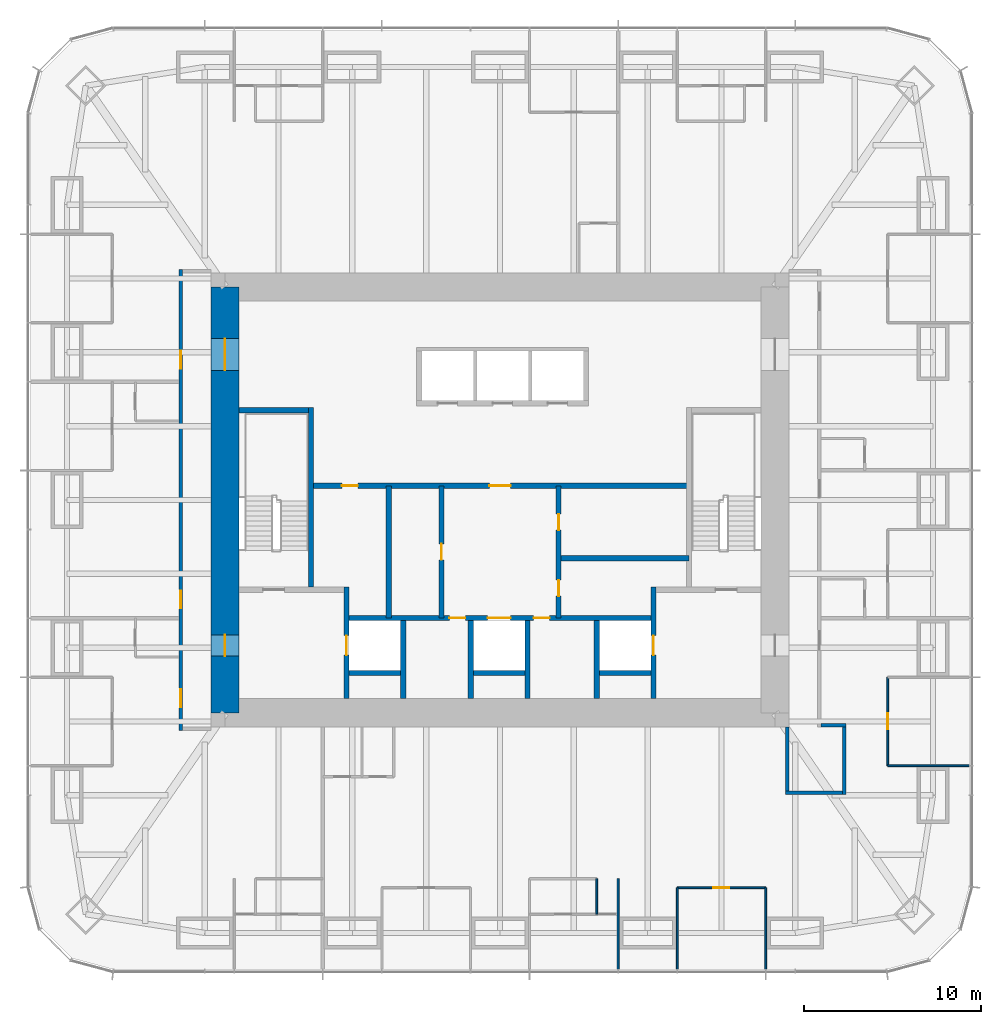
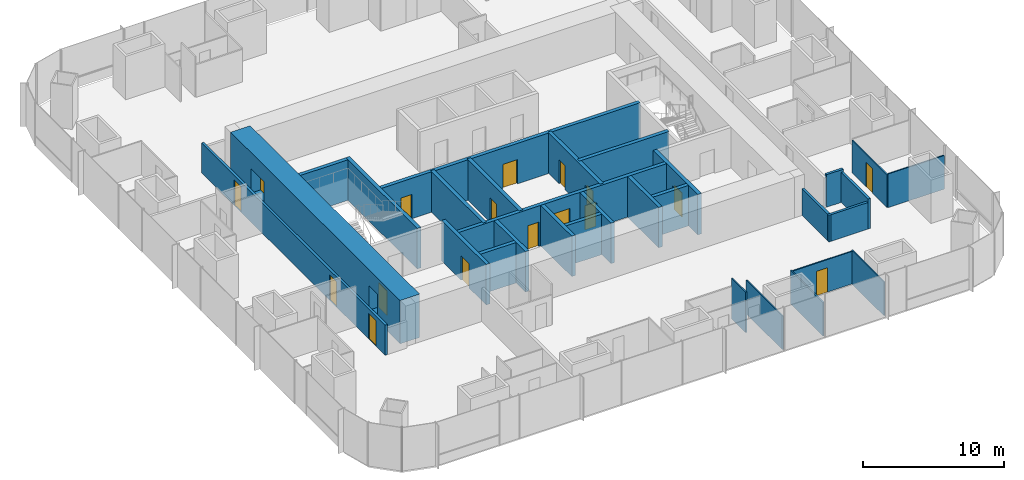
# One storey, part 9 of 12: 30 walls, 17 doors, 17 openings.
"""IFC4 building model written with IfcOpenShell, lengths in metres."""

import ifcopenshell
import ifcopenshell.guid

model = None  # the IFC model being written
_history = None  # IfcOwnerHistory: only IFC2X3 demands one
_inside = {}  # id of a spatial element -> (the spatial element, [elements in it])
_under = {}  # id of a project, library or spatial element -> (it, [spatial elements below it])
_declared = {}  # id of a project -> (the project, [libraries it declares])
_typed = {}  # id of a type object -> (the type object, [elements of that type])
_made_of = {}  # id of a material, layer set ... -> (it, [elements and type objects made of it])


def new_model(schema):
    """Start an empty IFC model of exactly this schema.

    Asked for "IFC4X3", IfcOpenShell would pick the latest addendum, in which some entities
    have other attributes; the version numbers below select the first issue.
    IFC2X3 requires an IfcOwnerHistory on every rooted entity: one is made here for all.
    """
    global model, _history
    if schema == "IFC4X3":
        model = ifcopenshell.file(schema_version=(4, 3, 0, 0))
    else:
        model = ifcopenshell.file(schema=schema)
    _inside.clear()
    _under.clear()
    _declared.clear()
    _typed.clear()
    _made_of.clear()
    _history = None
    if model.schema == "IFC2X3":
        org = make("IfcOrganization", Name="unknown")
        user = make(
            "IfcPersonAndOrganization",
            ThePerson=make("IfcPerson", FamilyName="unknown"),
            TheOrganization=org,
        )
        app = make(
            "IfcApplication",
            ApplicationDeveloper=org,
            Version="unknown",
            ApplicationFullName="unknown",
            ApplicationIdentifier="unknown",
        )
        _history = make(
            "IfcOwnerHistory",
            OwningUser=user,
            OwningApplication=app,
            ChangeAction="ADDED",
            CreationDate=0,
        )
    return model


def make(cls, **values):
    """One entity of the class cls with the attributes given. An attribute that is None is left unset."""
    return model.create_entity(
        cls, **{name: value for name, value in values.items() if value is not None}
    )


def rooted(cls, **values):
    """An entity with a GlobalId (a new one), such as an element, a storey or a relation."""
    return make(cls, GlobalId=ifcopenshell.guid.new(), OwnerHistory=_history, **values)


def si_unit(unit_type, name, prefix=None):
    """IfcSIUnit, for example si_unit("LENGTHUNIT", "METRE", prefix="MILLI")."""
    return make("IfcSIUnit", UnitType=unit_type, Prefix=prefix, Name=name)


def assignment(units):
    """IfcUnitAssignment: the units of a project."""
    return None if units is None else make("IfcUnitAssignment", Units=units)


def point(xyz):
    """IfcCartesianPoint."""
    return None if xyz is None else make("IfcCartesianPoint", Coordinates=xyz)


def direction(xyz):
    """IfcDirection."""
    return None if xyz is None else make("IfcDirection", DirectionRatios=xyz)


def frame(location, z_axis=None, x_axis=None):
    """IfcAxis2Placement3D, a coordinate frame: its origin and axes. An axis left out is left unset."""
    return make(
        "IfcAxis2Placement3D",
        Location=point(location),
        Axis=direction(z_axis),
        RefDirection=direction(x_axis),
    )


def frame_2d(location, x_axis=None):
    """IfcAxis2Placement2D, a coordinate frame in the plane: its origin and x axis."""
    return make(
        "IfcAxis2Placement2D", Location=point(location), RefDirection=direction(x_axis)
    )


def origin():
    """The frame at (0, 0, 0) with its axes left unset."""
    return frame((0.0, 0.0, 0.0))


def place(relative_to, where):
    """IfcLocalPlacement: puts the frame where relative to a parent placement (None: the world)."""
    return make(
        "IfcLocalPlacement", PlacementRelTo=relative_to, RelativePlacement=where
    )


def context(
    kind, dimensions, precision=None, world=None, true_north=None, identifier=None
):
    """IfcGeometricRepresentationContext, for example the 3D "Model" context."""
    return make(
        "IfcGeometricRepresentationContext",
        ContextIdentifier=identifier,
        ContextType=kind,
        CoordinateSpaceDimension=dimensions,
        Precision=precision,
        WorldCoordinateSystem=world,
        TrueNorth=true_north,
    )


def subcontext(parent, identifier, kind, view, scale=None):
    """IfcGeometricRepresentationSubContext, for example "Body" below "Model"."""
    return make(
        "IfcGeometricRepresentationSubContext",
        ContextIdentifier=identifier,
        ContextType=kind,
        ParentContext=parent,
        TargetScale=scale,
        TargetView=view,
    )


def project(units=None, contexts=None):
    """IfcProject with its units and contexts."""
    return rooted(
        "IfcProject",
        Name="project",
        RepresentationContexts=contexts,
        UnitsInContext=assignment(units),
    )


def spatial(cls, under=None, at=None, **own):
    """A site, building, storey or space (cls), placed at a placement, below another one or the project."""
    s = rooted(cls, ObjectPlacement=at, **own)
    if under is not None:
        _under.setdefault(under.id(), (under, []))[1].append(s)
    return s


def profile(cls, at=None, kind="AREA", **sizes):
    """A parametric profile (cls). Its sizes go by their IFC names, for example OverallWidth=200.0."""
    return make(cls, ProfileType=kind, Position=at, **sizes)


def rectangle(**sizes):
    """IfcRectangleProfileDef."""
    return profile("IfcRectangleProfileDef", **sizes)


def extrude(swept, where, along, depth):
    """IfcExtrudedAreaSolid: the profile swept, set in the frame where, extruded along a direction by depth."""
    return make(
        "IfcExtrudedAreaSolid",
        SweptArea=swept,
        Position=where,
        ExtrudedDirection=direction(along),
        Depth=depth,
    )


def shape(context_of_items, identifier, shape_type, items):
    """IfcShapeRepresentation: the items that make up one representation, for example the "Body"."""
    return make(
        "IfcShapeRepresentation",
        ContextOfItems=context_of_items,
        RepresentationIdentifier=identifier,
        RepresentationType=shape_type,
        Items=items,
    )


def material(Name=None, Category=None):
    """IfcMaterial."""
    return make("IfcMaterial", Name=Name, Category=Category)


def layer(
    of_material, thickness, ventilated=None, Name=None, Category=None, Priority=None
):
    """IfcMaterialLayer: one layer of a wall or slab, of a material (None: an air gap)."""
    return make(
        "IfcMaterialLayer",
        Material=of_material,
        LayerThickness=thickness,
        IsVentilated=ventilated,
        Name=Name,
        Category=Category,
        Priority=Priority,
    )


def layer_set(layers, Name=None):
    """IfcMaterialLayerSet."""
    return make("IfcMaterialLayerSet", MaterialLayers=layers, LayerSetName=Name)


def made_of(thing, what):
    """Note that an element or type object is made of a material, layer set ...; save() writes the relation."""
    if what is not None:
        _made_of.setdefault(what.id(), (what, []))[1].append(thing)
    return thing


def type_object(cls, material=None, **own):
    """A type object (cls), such as IfcWallType, which elements share."""
    return made_of(rooted(cls, **own), material)


def element(
    cls,
    number,
    at=None,
    inside=None,
    cuts=None,
    type_object=None,
    material=None,
    context=None,
    identifier="Body",
    shape_type=None,
    held_by="IfcProductDefinitionShape",
    body=None,
    shapes=None,
    **own,
):
    """One element of the class cls, such as IfcWall. Its Tag is "e" and its number.

    at: its placement. inside: the storey or other place that contains it. cuts: it is an
    opening in that element (IfcRelVoidsElement). A single representation is given by context,
    identifier, shape_type and body (its items); several are given by shapes. held_by: the class
    of the entity that holds the representations. save() writes the other relations.
    """
    e = rooted(cls, Tag="e%d" % number, ObjectPlacement=at, **own)
    if body is not None:
        shapes = [shape(context, identifier, shape_type, body)]
    if shapes is not None:
        e.Representation = make(held_by, Representations=shapes)
    if inside is not None:
        _inside.setdefault(inside.id(), (inside, []))[1].append(e)
    if cuts is not None:
        rooted(
            "IfcRelVoidsElement", RelatingBuildingElement=cuts, RelatedOpeningElement=e
        )
    if type_object is not None:
        _typed.setdefault(type_object.id(), (type_object, []))[1].append(e)
    return made_of(e, material)


def fill(opening, filler):
    """IfcRelFillsElement: the door or window that sits in an opening."""
    return rooted(
        "IfcRelFillsElement",
        RelatingOpeningElement=opening,
        RelatedBuildingElement=filler,
    )


def aggregate(whole, parts):
    """IfcRelAggregates: a whole, such as a stair, and the parts it consists of."""
    return rooted("IfcRelAggregates", RelatingObject=whole, RelatedObjects=parts)


def save(model, path):
    """Write the relations noted so far, then the file.

    IfcRelAggregates (storeys below a building ...), IfcRelContainedInSpatialStructure (elements
    in a storey), IfcRelDefinesByType, IfcRelAssociatesMaterial and IfcRelDeclares: one each for
    every whole, place, type object, material and project.
    """
    for whole, parts in _under.values():
        aggregate(whole, parts)
    for where, things in _inside.values():
        rooted(
            "IfcRelContainedInSpatialStructure",
            RelatedElements=things,
            RelatingStructure=where,
        )
    for kind, things in _typed.values():
        rooted("IfcRelDefinesByType", RelatedObjects=things, RelatingType=kind)
    for what, things in _made_of.values():
        rooted("IfcRelAssociatesMaterial", RelatedObjects=things, RelatingMaterial=what)
    for by, libraries in _declared.values():
        rooted("IfcRelDeclares", RelatingContext=by, RelatedDefinitions=libraries)
    model.write(path)


model = new_model("IFC4")

# Units and contexts
model_context = context("Model", 3, precision=1e-05, world=origin(), true_north=direction((0.0, 1.0)))
body_context = subcontext(model_context, "Body", "Model", "MODEL_VIEW")
ifc_project = project(units=[si_unit("LENGTHUNIT", "METRE"), si_unit("AREAUNIT", "SQUARE_METRE"), si_unit("VOLUMEUNIT", "CUBIC_METRE"), si_unit("PLANEANGLEUNIT", "RADIAN"), si_unit("MASSUNIT", "GRAM", prefix="KILO")], contexts=[model_context])

# Site, building, storey
site_placement = place(None, origin())
site = spatial("IfcSite", under=ifc_project, at=site_placement, CompositionType="ELEMENT")
building_placement = place(site_placement, origin())
building = spatial("IfcBuilding", under=site, at=building_placement, Name="Khuree Lantern Residences", CompositionType="ELEMENT")
storey_placement = place(building_placement, frame((0.0, 0.0, 207.0)))
storey = spatial("IfcBuildingStorey", under=building, at=storey_placement, Name="L51", CompositionType="ELEMENT", Elevation=207.0)

# Wall, opening, door
ifc_material_1 = material(Name="Dense concrete blockwork", Category="masonry")
ifc_layer_1 = layer(ifc_material_1, 0.300048828125)
ifc_layer_set_1 = layer_set([ifc_layer_1], Name="CORE PARTITION WALL CPW300 EI 120")
wall_type_1 = type_object("IfcWallType", Name="CORE PARTITION WALL CPW300 EI 120", PredefinedType="PARTITIONING", material=ifc_layer_set_1)
wall_1_placement = place(storey_placement, frame((-8.64990234375, -11.199951171875, 0.0), z_axis=(0.0, 0.0, 1.0), x_axis=(0.0, 1.0, 0.0)))
wall_1 = element("IfcWall", 1, at=wall_1_placement, inside=storey, type_object=wall_type_1, Name="L51 CORE WALL FL1W", PredefinedType="PARTITIONING", context=body_context, shape_type="SweptSolid", body=[
    extrude(rectangle(XDim=6.300048828125, YDim=0.300048828125, at=frame_2d((3.14990234375, 0.0))), origin(), (0.0, 0.0, 1.0), 3.5),
])
opening_1_placement = place(wall_1_placement, frame((2.449951171875, 0.0, 0.0)))
opening_1 = element("IfcOpeningElement", 2, at=opening_1_placement, cuts=wall_1, Name="Opening 51-007", PredefinedType="OPENING", context=body_context, shape_type="SweptSolid", body=[
    extrude(rectangle(XDim=1.10009765625, YDim=2.10009765625, at=frame_2d((0.550048828125, 1.050048828125))), frame((0.0, 0.16015625, 0.0), z_axis=(0.0, -1.0, 0.0), x_axis=(1.0, 0.0, 0.0)), (0.0, 0.0, 1.0), 0.320068359375),
])
ifc_material_2 = material(Name="Stainless steel lift landing door", Category="steel")
door_type_1 = type_object("IfcDoorType", Name="LIFT LANDING DOOR 1100X2100 E 120", OperationType="DOUBLE_DOOR_SLIDING", PredefinedType="DOOR", material=ifc_material_2)
door_1_placement = place(opening_1_placement, origin())
door_1 = element("IfcDoor", 3, at=door_1_placement, inside=storey, type_object=door_type_1, Name="Landing door FL1 51-007", OperationType="DOUBLE_DOOR_SLIDING", OverallHeight=2.10009765625, OverallWidth=1.10009765625, PredefinedType="DOOR", context=body_context, shape_type="SweptSolid", body=[
    extrude(rectangle(XDim=1.10009765625, YDim=2.10009765625, at=frame_2d((0.550048828125, 1.050048828125))), frame((0.0, 0.02490234375, 0.0), z_axis=(0.0, -1.0, 0.0), x_axis=(1.0, 0.0, 0.0)), (0.0, 0.0, 1.0), 0.050048828125),
])
fill(opening_1, door_1)

wall_2_placement = place(storey_placement, frame((8.64990234375, -11.199951171875, 0.0), z_axis=(0.0, 0.0, 1.0), x_axis=(0.0, 1.0, 0.0)))
wall_2 = element("IfcWall", 4, at=wall_2_placement, inside=storey, type_object=wall_type_1, Name="L51 CORE WALL FL2E", PredefinedType="PARTITIONING", context=body_context, shape_type="SweptSolid", body=[
    extrude(rectangle(XDim=6.300048828125, YDim=0.300048828125, at=frame_2d((3.14990234375, 0.0))), origin(), (0.0, 0.0, 1.0), 3.5),
])
opening_2_placement = place(wall_2_placement, frame((2.449951171875, 0.0, 0.0)))
opening_2 = element("IfcOpeningElement", 5, at=opening_2_placement, cuts=wall_2, Name="Opening 51-008", PredefinedType="OPENING", context=body_context, shape_type="SweptSolid", body=[
    extrude(rectangle(XDim=1.10009765625, YDim=2.10009765625, at=frame_2d((0.550048828125, 1.050048828125))), frame((0.0, 0.16015625, 0.0), z_axis=(0.0, -1.0, 0.0), x_axis=(1.0, 0.0, 0.0)), (0.0, 0.0, 1.0), 0.320068359375),
])
door_2_placement = place(opening_2_placement, origin())
door_2 = element("IfcDoor", 6, at=door_2_placement, inside=storey, type_object=door_type_1, Name="Landing door FL2 51-008", OperationType="DOUBLE_DOOR_SLIDING", OverallHeight=2.10009765625, OverallWidth=1.10009765625, PredefinedType="DOOR", context=body_context, shape_type="SweptSolid", body=[
    extrude(rectangle(XDim=1.10009765625, YDim=2.10009765625, at=frame_2d((0.550048828125, 1.050048828125))), frame((0.0, 0.02490234375, 0.0), z_axis=(0.0, -1.0, 0.0), x_axis=(1.0, 0.0, 0.0)), (0.0, 0.0, 1.0), 0.050048828125),
])
fill(opening_2, door_2)

# Wall, openings, doors
wall_3_placement = place(storey_placement, frame((-8.5, -6.64990234375, 0.0), z_axis=(0.0, 0.0, 1.0), x_axis=(1.0, 0.0, 0.0)))
wall_3 = element("IfcWall", 7, at=wall_3_placement, inside=storey, type_object=wall_type_1, Name="L51 CORE WALL FLROW", PredefinedType="PARTITIONING", context=body_context, shape_type="SweptSolid", body=[
    extrude(rectangle(XDim=17.0, YDim=0.300048828125, at=frame_2d((8.5, 0.0))), origin(), (0.0, 0.0, 1.0), 3.5),
])
opening_3_placement = place(wall_3_placement, frame((7.800048828125, 0.0, 0.0)))
opening_3 = element("IfcOpeningElement", 8, at=opening_3_placement, cuts=wall_3, Name="Opening 51-012", PredefinedType="OPENING", context=body_context, shape_type="SweptSolid", body=[
    extrude(rectangle(XDim=1.300048828125, YDim=2.39990234375, at=frame_2d((0.64990234375, 1.199951171875))), frame((0.0, 0.16015625, 0.0), z_axis=(0.0, -1.0, 0.0), x_axis=(1.0, 0.0, 0.0)), (0.0, 0.0, 1.0), 0.320068359375),
])
opening_4_placement = place(wall_3_placement, frame((5.64990234375, 0.0, 0.0)))
opening_4 = element("IfcOpeningElement", 9, at=opening_4_placement, cuts=wall_3, Name="Opening 51-014", PredefinedType="OPENING", context=body_context, shape_type="SweptSolid", body=[
    extrude(rectangle(XDim=0.89990234375, YDim=2.10009765625, at=frame_2d((0.449951171875, 1.050048828125))), frame((0.0, 0.16015625, 0.0), z_axis=(0.0, -1.0, 0.0), x_axis=(1.0, 0.0, 0.0)), (0.0, 0.0, 1.0), 0.320068359375),
])
opening_5_placement = place(wall_3_placement, frame((10.39990234375, 0.0, 0.0)))
opening_5 = element("IfcOpeningElement", 10, at=opening_5_placement, cuts=wall_3, Name="Opening 51-015", PredefinedType="OPENING", context=body_context, shape_type="SweptSolid", body=[
    extrude(rectangle(XDim=0.89990234375, YDim=2.10009765625, at=frame_2d((0.449951171875, 1.050048828125))), frame((0.0, 0.16015625, 0.0), z_axis=(0.0, -1.0, 0.0), x_axis=(1.0, 0.0, 0.0)), (0.0, 0.0, 1.0), 0.320068359375),
])
ifc_material_3 = material(Name="Steel door leaf in steel frame", Category="steel")
door_type_2 = type_object("IfcDoorType", Name="DOOR 900X2100 EI 60", OperationType="SINGLE_SWING_LEFT", PredefinedType="DOOR", material=ifc_material_3)
door_3_placement = place(opening_4_placement, origin())
door_3 = element("IfcDoor", 11, at=door_3_placement, inside=storey, type_object=door_type_2, Name="Refuse chute room door 51-014", OperationType="SINGLE_SWING_LEFT", OverallHeight=2.10009765625, OverallWidth=0.89990234375, PredefinedType="DOOR", context=body_context, shape_type="SweptSolid", body=[
    extrude(rectangle(XDim=0.89990234375, YDim=2.10009765625, at=frame_2d((0.449951171875, 1.050048828125))), frame((0.0, 0.02490234375, 0.0), z_axis=(0.0, -1.0, 0.0), x_axis=(1.0, 0.0, 0.0)), (0.0, 0.0, 1.0), 0.050048828125),
])
fill(opening_4, door_3)
door_type_3 = type_object("IfcDoorType", Name="DOOR 900X2100 EI 60 RIGHT HAND", OperationType="SINGLE_SWING_RIGHT", PredefinedType="DOOR", material=ifc_material_3)
door_4_placement = place(opening_5_placement, origin())
door_4 = element("IfcDoor", 12, at=door_4_placement, inside=storey, type_object=door_type_3, Name="Electrical and plumbing riser door 51-015", OperationType="SINGLE_SWING_RIGHT", OverallHeight=2.10009765625, OverallWidth=0.89990234375, PredefinedType="DOOR", context=body_context, shape_type="SweptSolid", body=[
    extrude(rectangle(XDim=0.89990234375, YDim=2.10009765625, at=frame_2d((0.449951171875, 1.050048828125))), frame((0.0, 0.02490234375, 0.0), z_axis=(0.0, -1.0, 0.0), x_axis=(1.0, 0.0, 0.0)), (0.0, 0.0, 1.0), 0.050048828125),
])
fill(opening_5, door_4)
door_type_4 = type_object("IfcDoorType", Name="LIFT LANDING DOOR 1300X2400 E 60", OperationType="DOUBLE_DOOR_SLIDING", PredefinedType="DOOR", material=ifc_material_2)
door_5_placement = place(opening_3_placement, origin())
door_5 = element("IfcDoor", 13, at=door_5_placement, inside=storey, type_object=door_type_4, Name="Landing door SL1 51-012", OperationType="DOUBLE_DOOR_SLIDING", OverallHeight=2.39990234375, OverallWidth=1.300048828125, PredefinedType="DOOR", context=body_context, shape_type="SweptSolid", body=[
    extrude(rectangle(XDim=1.300048828125, YDim=2.39990234375, at=frame_2d((0.64990234375, 1.199951171875))), frame((0.0, 0.02490234375, 0.0), z_axis=(0.0, -1.0, 0.0), x_axis=(1.0, 0.0, 0.0)), (0.0, 0.0, 1.0), 0.050048828125),
])
fill(opening_3, door_5)

# Walls
for number, where, z_axis, x_axis, name in (
    (14, (-5.449951171875, -11.199951171875, 0.0), (0.0, 0.0, 1.0), (0.0, 1.0, 0.0), "L51 CORE WALL FL1E"),
    (15, (-1.64990234375, -11.199951171875, 0.0), (0.0, 0.0, 1.0), (0.0, 1.0, 0.0), "L51 CORE WALL SL1W"),
    (16, (1.550048828125, -11.199951171875, 0.0), (0.0, 0.0, 1.0), (0.0, 1.0, 0.0), "L51 CORE WALL SL1E"),
    (17, (5.449951171875, -11.199951171875, 0.0), (0.0, 0.0, 1.0), (0.0, 1.0, 0.0), "L51 CORE WALL FL2W"),
):
    element("IfcWall", number, at=place(storey_placement, frame(where, z_axis=z_axis, x_axis=x_axis)), inside=storey, type_object=wall_type_1, Name=name, PredefinedType="PARTITIONING", context=body_context, shape_type="SweptSolid", body=[
        extrude(rectangle(XDim=4.39990234375, YDim=0.300048828125, at=frame_2d((2.199951171875, 0.0))), origin(), (0.0, 0.0, 1.0), 3.5),
    ])
for number, where, z_axis, x_axis, name in (
    (18, (-8.5, -9.75, 0.0), (0.0, 0.0, 1.0), (1.0, 0.0, 0.0), "L51 CORE WALL FL1S"),
    (19, (-1.5, -9.75, 0.0), (0.0, 0.0, 1.0), (1.0, 0.0, 0.0), "L51 CORE WALL SL1S"),
    (20, (5.60009765625, -9.75, 0.0), (0.0, 0.0, 1.0), (1.0, 0.0, 0.0), "L51 CORE WALL FL2S"),
):
    element("IfcWall", number, at=place(storey_placement, frame(where, z_axis=z_axis, x_axis=x_axis)), inside=storey, type_object=wall_type_1, Name=name, PredefinedType="PARTITIONING", context=body_context, shape_type="SweptSolid", body=[
        extrude(rectangle(XDim=2.89990234375, YDim=0.300048828125, at=frame_2d((1.449951171875, 0.0))), origin(), (0.0, 0.0, 1.0), 3.5),
    ])

# Wall, openings, doors
wall_4_placement = place(storey_placement, frame((-10.64990234375, 0.800048828125, 0.0), z_axis=(0.0, 0.0, 1.0), x_axis=(1.0, 0.0, 0.0)))
wall_4 = element("IfcWall", 21, at=wall_4_placement, inside=storey, type_object=wall_type_1, Name="L51 CORE WALL LLS", PredefinedType="PARTITIONING", context=body_context, shape_type="SweptSolid", body=[
    extrude(rectangle(XDim=21.2998046875, YDim=0.300048828125, at=frame_2d((10.64990234375, 0.0))), origin(), (0.0, 0.0, 1.0), 3.5),
])
opening_6_placement = place(wall_4_placement, frame((10.050048828125, 0.0, 0.0)))
opening_6 = element("IfcOpeningElement", 22, at=opening_6_placement, cuts=wall_4, Name="Opening 51-013", PredefinedType="OPENING", context=body_context, shape_type="SweptSolid", body=[
    extrude(rectangle(XDim=1.199951171875, YDim=2.10009765625, at=frame_2d((0.60009765625, 1.050048828125))), frame((0.0, 0.16015625, 0.0), z_axis=(0.0, -1.0, 0.0), x_axis=(1.0, 0.0, 0.0)), (0.0, 0.0, 1.0), 0.320068359375),
])
opening_7_placement = place(wall_4_placement, frame((1.739990234375, 0.0, 0.0)))
opening_7 = element("IfcOpeningElement", 23, at=opening_7_placement, cuts=wall_4, Name="Opening 51-017", PredefinedType="OPENING", context=body_context, shape_type="SweptSolid", body=[
    extrude(rectangle(XDim=0.89990234375, YDim=2.10009765625, at=frame_2d((0.449951171875, 1.050048828125))), frame((0.0, 0.16015625, 0.0), z_axis=(0.0, -1.0, 0.0), x_axis=(1.0, 0.0, 0.0)), (0.0, 0.0, 1.0), 0.320068359375),
])
door_type_5 = type_object("IfcDoorType", Name="DOOR 1200X2100 EI 60", OperationType="SINGLE_SWING_LEFT", PredefinedType="DOOR", material=ifc_material_3)
door_6_placement = place(opening_6_placement, origin())
door_6 = element("IfcDoor", 24, at=door_6_placement, inside=storey, type_object=door_type_5, Name="Service lift lobby door 51-013", OperationType="SINGLE_SWING_LEFT", OverallHeight=2.10009765625, OverallWidth=1.199951171875, PredefinedType="DOOR", context=body_context, shape_type="SweptSolid", body=[
    extrude(rectangle(XDim=1.199951171875, YDim=2.10009765625, at=frame_2d((0.60009765625, 1.050048828125))), frame((0.0, 0.02490234375, 0.0), z_axis=(0.0, -1.0, 0.0), x_axis=(1.0, 0.0, 0.0)), (0.0, 0.0, 1.0), 0.050048828125),
])
fill(opening_6, door_6)
ifc_material_4 = material(Name="Timber door leaf in hardwood frame", Category="wood")
door_type_6 = type_object("IfcDoorType", Name="DOOR 900X2100", OperationType="SINGLE_SWING_LEFT", PredefinedType="DOOR", material=ifc_material_4)
door_7_placement = place(opening_7_placement, origin())
door_7 = element("IfcDoor", 25, at=door_7_placement, inside=storey, type_object=door_type_6, Name="Residents' store door 51-017", OperationType="SINGLE_SWING_LEFT", OverallHeight=2.10009765625, OverallWidth=0.89990234375, PredefinedType="DOOR", context=body_context, shape_type="SweptSolid", body=[
    extrude(rectangle(XDim=0.89990234375, YDim=2.10009765625, at=frame_2d((0.449951171875, 1.050048828125))), frame((0.0, 0.02490234375, 0.0), z_axis=(0.0, -1.0, 0.0), x_axis=(1.0, 0.0, 0.0)), (0.0, 0.0, 1.0), 0.050048828125),
])
fill(opening_7, door_7)

# Wall, opening, door
wall_5_placement = place(storey_placement, frame((-3.300048828125, -6.64990234375, 0.0), z_axis=(0.0, 0.0, 1.0), x_axis=(0.0, 1.0, 0.0)))
wall_5 = element("IfcWall", 26, at=wall_5_placement, inside=storey, type_object=wall_type_1, Name="L51 CORE WALL SVW", PredefinedType="PARTITIONING", context=body_context, shape_type="SweptSolid", body=[
    extrude(rectangle(XDim=7.449951171875, YDim=0.300048828125, at=frame_2d((3.72509765625, 0.0))), origin(), (0.0, 0.0, 1.0), 3.5),
])
opening_8_placement = place(wall_5_placement, frame((3.27490234375, 0.0, 0.0)))
opening_8 = element("IfcOpeningElement", 27, at=opening_8_placement, cuts=wall_5, Name="Opening 51-016", PredefinedType="OPENING", context=body_context, shape_type="SweptSolid", body=[
    extrude(rectangle(XDim=0.89990234375, YDim=2.10009765625, at=frame_2d((0.449951171875, 1.050048828125))), frame((0.0, 0.16015625, 0.0), z_axis=(0.0, -1.0, 0.0), x_axis=(1.0, 0.0, 0.0)), (0.0, 0.0, 1.0), 0.320068359375),
])
door_8_placement = place(opening_8_placement, origin())
door_8 = element("IfcDoor", 28, at=door_8_placement, inside=storey, type_object=door_type_6, Name="Bulky waste store door 51-016", OperationType="SINGLE_SWING_LEFT", OverallHeight=2.10009765625, OverallWidth=0.89990234375, PredefinedType="DOOR", context=body_context, shape_type="SweptSolid", body=[
    extrude(rectangle(XDim=0.89990234375, YDim=2.10009765625, at=frame_2d((0.449951171875, 1.050048828125))), frame((0.0, 0.02490234375, 0.0), z_axis=(0.0, -1.0, 0.0), x_axis=(1.0, 0.0, 0.0)), (0.0, 0.0, 1.0), 0.050048828125),
])
fill(opening_8, door_8)

# Wall, openings, doors
wall_6_placement = place(storey_placement, frame((3.300048828125, -6.64990234375, 0.0), z_axis=(0.0, 0.0, 1.0), x_axis=(0.0, 1.0, 0.0)))
wall_6 = element("IfcWall", 29, at=wall_6_placement, inside=storey, type_object=wall_type_1, Name="L51 CORE WALL SVE", PredefinedType="PARTITIONING", context=body_context, shape_type="SweptSolid", body=[
    extrude(rectangle(XDim=7.449951171875, YDim=0.300048828125, at=frame_2d((3.72509765625, 0.0))), origin(), (0.0, 0.0, 1.0), 3.5),
])
opening_9_placement = place(wall_6_placement, frame((1.23095703125, 0.0, 0.0)))
opening_9 = element("IfcOpeningElement", 30, at=opening_9_placement, cuts=wall_6, Name="Opening 51-018", PredefinedType="OPENING", context=body_context, shape_type="SweptSolid", body=[
    extrude(rectangle(XDim=0.89990234375, YDim=2.10009765625, at=frame_2d((0.449951171875, 1.050048828125))), frame((0.0, 0.16015625, 0.0), z_axis=(0.0, -1.0, 0.0), x_axis=(1.0, 0.0, 0.0)), (0.0, 0.0, 1.0), 0.320068359375),
])
opening_10_placement = place(wall_6_placement, frame((4.9560546875, 0.0, 0.0)))
opening_10 = element("IfcOpeningElement", 31, at=opening_10_placement, cuts=wall_6, Name="Opening 51-019", PredefinedType="OPENING", context=body_context, shape_type="SweptSolid", body=[
    extrude(rectangle(XDim=0.89990234375, YDim=2.10009765625, at=frame_2d((0.449951171875, 1.050048828125))), frame((0.0, 0.16015625, 0.0), z_axis=(0.0, -1.0, 0.0), x_axis=(1.0, 0.0, 0.0)), (0.0, 0.0, 1.0), 0.320068359375),
])
door_9_placement = place(opening_9_placement, origin())
door_9 = element("IfcDoor", 32, at=door_9_placement, inside=storey, type_object=door_type_6, Name="Bulky waste store door 51-018", OperationType="SINGLE_SWING_LEFT", OverallHeight=2.10009765625, OverallWidth=0.89990234375, PredefinedType="DOOR", context=body_context, shape_type="SweptSolid", body=[
    extrude(rectangle(XDim=0.89990234375, YDim=2.10009765625, at=frame_2d((0.449951171875, 1.050048828125))), frame((0.0, 0.02490234375, 0.0), z_axis=(0.0, -1.0, 0.0), x_axis=(1.0, 0.0, 0.0)), (0.0, 0.0, 1.0), 0.050048828125),
])
fill(opening_9, door_9)
door_type_7 = type_object("IfcDoorType", Name="DOOR 900X2100 RIGHT HAND", OperationType="SINGLE_SWING_RIGHT", PredefinedType="DOOR", material=ifc_material_4)
door_10_placement = place(opening_10_placement, origin())
door_10 = element("IfcDoor", 33, at=door_10_placement, inside=storey, type_object=door_type_7, Name="Residents' store door 51-019", OperationType="SINGLE_SWING_RIGHT", OverallHeight=2.10009765625, OverallWidth=0.89990234375, PredefinedType="DOOR", context=body_context, shape_type="SweptSolid", body=[
    extrude(rectangle(XDim=0.89990234375, YDim=2.10009765625, at=frame_2d((0.449951171875, 1.050048828125))), frame((0.0, 0.02490234375, 0.0), z_axis=(0.0, -1.0, 0.0), x_axis=(1.0, 0.0, 0.0)), (0.0, 0.0, 1.0), 0.050048828125),
])
fill(opening_10, door_10)

# Walls
wall_7_placement = place(storey_placement, frame((-6.27001953125, -6.64990234375, 0.0), z_axis=(0.0, 0.0, 1.0), x_axis=(0.0, 1.0, 0.0)))
element("IfcWall", 34, at=wall_7_placement, inside=storey, type_object=wall_type_1, Name="L51 CORE WALL WV", PredefinedType="PARTITIONING", context=body_context, shape_type="SweptSolid", body=[
    extrude(rectangle(XDim=7.449951171875, YDim=0.300048828125, at=frame_2d((3.72509765625, 0.0))), origin(), (0.0, 0.0, 1.0), 3.5),
])
wall_8_placement = place(storey_placement, frame((10.64990234375, -3.2880859375, 0.0), z_axis=(0.0, 0.0, 1.0), x_axis=(-1.0, 0.0, 0.0)))
element("IfcWall", 35, at=wall_8_placement, inside=storey, type_object=wall_type_1, Name="L51 CORE WALL EX", PredefinedType="PARTITIONING", context=body_context, shape_type="SweptSolid", body=[
    extrude(rectangle(XDim=7.349853515625, YDim=0.300048828125, at=frame_2d((3.6748046875, 0.0))), origin(), (0.0, 0.0, 1.0), 3.5),
])
ifc_material_5 = material(Name="Gypsum board on steel studs", Category="steel")
ifc_layer_2 = layer(ifc_material_5, 0.199951171875)
ifc_layer_set_2 = layer_set([ifc_layer_2], Name="CORRIDOR WALL CRW200 EI 60")
wall_type_2 = type_object("IfcWallType", Name="CORRIDOR WALL CRW200 EI 60", PredefinedType="PARTITIONING", material=ifc_layer_set_2)
wall_9_placement = place(storey_placement, frame((18.10009765625, -12.699951171875, 0.0), z_axis=(0.0, 0.0, 1.0), x_axis=(1.0, 0.0, 0.0)))
element("IfcWall", 36, at=wall_9_placement, inside=storey, type_object=wall_type_2, Name="L51 RESIDENTS LOUNGE WALL", PredefinedType="PARTITIONING", context=body_context, shape_type="SweptSolid", body=[
    extrude(rectangle(XDim=1.39990234375, YDim=0.199951171875, at=frame_2d((0.699951171875, 0.0))), origin(), (0.0, 0.0, 1.0), 2.81005859375),
])
wall_10_placement = place(storey_placement, frame((19.39990234375, -12.60009765625, 0.0), z_axis=(0.0, 0.0, 1.0), x_axis=(0.0, -1.0, 0.0)))
element("IfcWall", 37, at=wall_10_placement, inside=storey, type_object=wall_type_2, Name="L51 RESIDENTS LOUNGE WALL", PredefinedType="PARTITIONING", context=body_context, shape_type="SweptSolid", body=[
    extrude(rectangle(XDim=4.0, YDim=0.199951171875, at=frame_2d((2.0, 0.0))), origin(), (0.0, 0.0, 1.0), 2.60009765625),
])
wall_11_placement = place(storey_placement, frame((19.300048828125, -16.5, 0.0), z_axis=(0.0, 0.0, 1.0), x_axis=(-1.0, 0.0, 0.0)))
element("IfcWall", 38, at=wall_11_placement, inside=storey, type_object=wall_type_2, Name="L51 RESIDENTS LOUNGE WALL", PredefinedType="PARTITIONING", context=body_context, shape_type="SweptSolid", body=[
    extrude(rectangle(XDim=3.199951171875, YDim=0.199951171875, at=frame_2d((1.60009765625, 0.0))), origin(), (0.0, 0.0, 1.0), 2.300048828125),
])
wall_12_placement = place(storey_placement, frame((16.199951171875, -16.60009765625, 0.0), z_axis=(0.0, 0.0, 1.0), x_axis=(0.0, 1.0, 0.0)))
element("IfcWall", 39, at=wall_12_placement, inside=storey, type_object=wall_type_2, Name="L51 RESIDENTS LOUNGE WALL", PredefinedType="PARTITIONING", context=body_context, shape_type="SweptSolid", body=[
    extrude(rectangle(XDim=3.800048828125, YDim=0.199951171875, at=frame_2d((1.89990234375, 0.0))), origin(), (0.0, 0.0, 1.0), 2.300048828125),
])

# Wall, openings, doors
wall_13_placement = place(storey_placement, frame((-18.0, 13.0, 0.0), z_axis=(0.0, 0.0, 1.0), x_axis=(0.0, -1.0, 0.0)))
wall_13 = element("IfcWall", 40, at=wall_13_placement, inside=storey, type_object=wall_type_2, Name="L51 CORRIDOR WALL WEST 1", PredefinedType="PARTITIONING", context=body_context, shape_type="SweptSolid", body=[
    extrude(rectangle(XDim=26.0, YDim=0.199951171875, at=frame_2d((13.0, 0.0))), origin(), (0.0, 0.0, 1.0), 2.60009765625),
])
opening_11_placement = place(wall_13_placement, frame((4.60009765625, 0.0, 0.0)))
opening_11 = element("IfcOpeningElement", 41, at=opening_11_placement, cuts=wall_13, Name="Opening 51-033", PredefinedType="OPENING", context=body_context, shape_type="SweptSolid", body=[
    extrude(rectangle(XDim=1.0, YDim=2.199951171875, at=frame_2d((0.5, 1.10009765625))), frame((0.0, 0.10986328125, 0.0), z_axis=(0.0, -1.0, 0.0), x_axis=(1.0, 0.0, 0.0)), (0.0, 0.0, 1.0), 0.219970703125),
])
opening_12_placement = place(wall_13_placement, frame((18.114013671875, 0.0, 0.0)))
opening_12 = element("IfcOpeningElement", 42, at=opening_12_placement, cuts=wall_13, Name="Opening 51-036", PredefinedType="OPENING", context=body_context, shape_type="SweptSolid", body=[
    extrude(rectangle(XDim=1.0, YDim=2.199951171875, at=frame_2d((0.5, 1.10009765625))), frame((0.0, 0.10986328125, 0.0), z_axis=(0.0, -1.0, 0.0), x_axis=(1.0, 0.0, 0.0)), (0.0, 0.0, 1.0), 0.219970703125),
])
opening_13_placement = place(wall_13_placement, frame((23.676025390625, 0.0, 0.0)))
opening_13 = element("IfcOpeningElement", 43, at=opening_13_placement, cuts=wall_13, Name="Opening 51-041", PredefinedType="OPENING", context=body_context, shape_type="SweptSolid", body=[
    extrude(rectangle(XDim=1.0, YDim=2.199951171875, at=frame_2d((0.5, 1.10009765625))), frame((0.0, 0.10986328125, 0.0), z_axis=(0.0, -1.0, 0.0), x_axis=(1.0, 0.0, 0.0)), (0.0, 0.0, 1.0), 0.219970703125),
])
door_type_8 = type_object("IfcDoorType", Name="APARTMENT ENTRANCE DOOR 1000X2200 EI 30S", OperationType="SINGLE_SWING_LEFT", PredefinedType="DOOR", material=ifc_material_4)
door_11_placement = place(opening_11_placement, origin())
door_11 = element("IfcDoor", 44, at=door_11_placement, inside=storey, type_object=door_type_8, Name="Apartment 03 entrance door 51-033", OperationType="SINGLE_SWING_LEFT", OverallHeight=2.199951171875, OverallWidth=1.0, PredefinedType="DOOR", context=body_context, shape_type="SweptSolid", body=[
    extrude(rectangle(XDim=1.0, YDim=2.199951171875, at=frame_2d((0.5, 1.10009765625))), frame((0.0, 0.02490234375, 0.0), z_axis=(0.0, -1.0, 0.0), x_axis=(1.0, 0.0, 0.0)), (0.0, 0.0, 1.0), 0.050048828125),
])
fill(opening_11, door_11)
door_12_placement = place(opening_12_placement, origin())
door_12 = element("IfcDoor", 45, at=door_12_placement, inside=storey, type_object=door_type_8, Name="Apartment 04 entrance door 51-036", OperationType="SINGLE_SWING_LEFT", OverallHeight=2.199951171875, OverallWidth=1.0, PredefinedType="DOOR", context=body_context, shape_type="SweptSolid", body=[
    extrude(rectangle(XDim=1.0, YDim=2.199951171875, at=frame_2d((0.5, 1.10009765625))), frame((0.0, 0.02490234375, 0.0), z_axis=(0.0, -1.0, 0.0), x_axis=(1.0, 0.0, 0.0)), (0.0, 0.0, 1.0), 0.050048828125),
])
fill(opening_12, door_12)
door_type_9 = type_object("IfcDoorType", Name="APARTMENT ENTRANCE DOOR 1000X2200 EI 30S RIGHT HAND", OperationType="SINGLE_SWING_RIGHT", PredefinedType="DOOR", material=ifc_material_4)
door_13_placement = place(opening_13_placement, origin())
door_13 = element("IfcDoor", 46, at=door_13_placement, inside=storey, type_object=door_type_9, Name="Apartment 05 entrance door 51-041", OperationType="SINGLE_SWING_RIGHT", OverallHeight=2.199951171875, OverallWidth=1.0, PredefinedType="DOOR", context=body_context, shape_type="SweptSolid", body=[
    extrude(rectangle(XDim=1.0, YDim=2.199951171875, at=frame_2d((0.5, 1.10009765625))), frame((0.0, 0.02490234375, 0.0), z_axis=(0.0, -1.0, 0.0), x_axis=(1.0, 0.0, 0.0)), (0.0, 0.0, 1.0), 0.050048828125),
])
fill(opening_13, door_13)

ifc_material_6 = material(Name="Concrete C50/60", Category="concrete")
ifc_layer_3 = layer(ifc_material_6, 1.60009765625)
ifc_layer_set_3 = layer_set([ifc_layer_3], Name="CW1600-C50 CORE WALL C50 1600")
wall_type_3 = type_object("IfcWallType", Name="CW1600-C50 CORE WALL C50 1600", PredefinedType="SHEAR", material=ifc_layer_set_3)
wall_14_placement = place(storey_placement, frame((-15.5, -12.0, -0.25), z_axis=(0.0, 0.0, 1.0), x_axis=(0.0, 1.0, 0.0)))
wall_14 = element("IfcWall", 47, at=wall_14_placement, inside=storey, type_object=wall_type_3, Name="Core wall W", PredefinedType="SHEAR", context=body_context, shape_type="SweptSolid", body=[
    extrude(rectangle(XDim=24.0, YDim=1.60009765625, at=frame_2d((12.0, 0.0))), origin(), (0.0, 0.0, 1.0), 3.75),
])
opening_14_placement = place(wall_14_placement, frame((3.199951171875, 0.0, 0.25)))
opening_14 = element("IfcOpeningElement", 48, at=opening_14_placement, cuts=wall_14, Name="Opening 51-002", PredefinedType="OPENING", context=body_context, shape_type="SweptSolid", body=[
    extrude(rectangle(XDim=1.199951171875, YDim=2.10009765625, at=frame_2d((0.60009765625, 1.050048828125))), frame((0.0, 0.81005859375, 0.0), z_axis=(0.0, -1.0, 0.0), x_axis=(1.0, 0.0, 0.0)), (0.0, 0.0, 1.0), 1.6201171875),
])
opening_15_placement = place(wall_14_placement, frame((19.300048828125, 0.0, 0.25)))
opening_15 = element("IfcOpeningElement", 49, at=opening_15_placement, cuts=wall_14, Name="Opening 51-003", PredefinedType="OPENING", context=body_context, shape_type="SweptSolid", body=[
    extrude(rectangle(XDim=1.800048828125, YDim=2.10009765625, at=frame_2d((0.89990234375, 1.050048828125))), frame((0.0, 0.81005859375, 0.0), z_axis=(0.0, -1.0, 0.0), x_axis=(1.0, 0.0, 0.0)), (0.0, 0.0, 1.0), 1.6201171875),
])
door_type_10 = type_object("IfcDoorType", Name="LOBBY DOOR 1200X2100 EI 120", OperationType="SINGLE_SWING_LEFT", PredefinedType="DOOR", material=ifc_material_3)
door_14_placement = place(opening_14_placement, origin())
door_14 = element("IfcDoor", 50, at=door_14_placement, inside=storey, type_object=door_type_10, Name="Firefighting lobby door 51-002", OperationType="SINGLE_SWING_LEFT", OverallHeight=2.10009765625, OverallWidth=1.199951171875, PredefinedType="DOOR", context=body_context, shape_type="SweptSolid", body=[
    extrude(rectangle(XDim=1.199951171875, YDim=2.10009765625, at=frame_2d((0.60009765625, 1.050048828125))), frame((0.0, 0.02490234375, 0.0), z_axis=(0.0, -1.0, 0.0), x_axis=(1.0, 0.0, 0.0)), (0.0, 0.0, 1.0), 0.050048828125),
])
fill(opening_14, door_14)
door_type_11 = type_object("IfcDoorType", Name="LOBBY DOUBLE DOOR 1800X2100 EI 60", OperationType="DOUBLE_DOOR_SINGLE_SWING", PredefinedType="DOOR", material=ifc_material_3)
door_15_placement = place(opening_15_placement, origin())
door_15 = element("IfcDoor", 51, at=door_15_placement, inside=storey, type_object=door_type_11, Name="Lift lobby door 51-003", OperationType="DOUBLE_DOOR_SINGLE_SWING", OverallHeight=2.10009765625, OverallWidth=1.800048828125, PredefinedType="DOOR", context=body_context, shape_type="SweptSolid", body=[
    extrude(rectangle(XDim=1.800048828125, YDim=2.10009765625, at=frame_2d((0.89990234375, 1.050048828125))), frame((0.0, 0.02490234375, 0.0), z_axis=(0.0, -1.0, 0.0), x_axis=(1.0, 0.0, 0.0)), (0.0, 0.0, 1.0), 0.050048828125),
])
fill(opening_15, door_15)

# Walls
ifc_layer_4 = layer(ifc_material_5, 0.10009765625)
ifc_layer_set_4 = layer_set([ifc_layer_4], Name="PARTITION PT100")
wall_type_4 = type_object("IfcWallType", Name="PARTITION PT100", PredefinedType="PARTITIONING", material=ifc_layer_set_4)
wall_15_placement = place(storey_placement, frame((6.656005859375, -21.344970703125, 0.0), z_axis=(0.0, 0.0, 1.0), x_axis=(0.0, -1.0, 0.0)))
element("IfcWall", 52, at=wall_15_placement, inside=storey, type_object=wall_type_4, Name="L51 PARTITION 06", PredefinedType="PARTITIONING", context=body_context, shape_type="SweptSolid", body=[
    extrude(rectangle(XDim=5.10498046875, YDim=0.10009765625, at=frame_2d((2.552490234375, 0.0))), origin(), (0.0, 0.0, 1.0), 2.909912109375),
])
for number, where, z_axis, x_axis, name in (
    (53, (9.98388671875, -21.85009765625, 0.0), (0.0, 0.0, 1.0), (0.0, -1.0, 0.0), "L51 PARTITION 06"),
    (54, (14.97607421875, -21.85009765625, 0.0), (0.0, 0.0, 1.0), (0.0, -1.0, 0.0), "L51 PARTITION 06"),
    (55, (21.85009765625, -14.97607421875, 0.0), (0.0, 0.0, 1.0), (1.0, 0.0, 0.0), "L51 PARTITION 06"),
):
    element("IfcWall", number, at=place(storey_placement, frame(where, z_axis=z_axis, x_axis=x_axis)), inside=storey, type_object=wall_type_4, Name=name, PredefinedType="PARTITIONING", context=body_context, shape_type="SweptSolid", body=[
        extrude(rectangle(XDim=4.599853515625, YDim=0.10009765625, at=frame_2d((2.2998046875, 0.0))), origin(), (0.0, 0.0, 1.0), 2.909912109375),
    ])
wall_16_placement = place(storey_placement, frame((5.4560546875, -21.344970703125, 0.0), z_axis=(0.0, 0.0, 1.0), x_axis=(0.0, -1.0, 0.0)))
element("IfcWall", 56, at=wall_16_placement, inside=storey, type_object=wall_type_4, Name="L51 PARTITION 06", PredefinedType="PARTITIONING", context=body_context, shape_type="SweptSolid", body=[
    extrude(rectangle(XDim=2.0, YDim=0.10009765625, at=frame_2d((1.0, 0.0))), origin(), (0.0, 0.0, 1.0), 3.5),
])

# Wall, opening, door
wall_17_placement = place(storey_placement, frame((9.98388671875, -21.85009765625, 0.0), z_axis=(0.0, 0.0, 1.0), x_axis=(1.0, 0.0, 0.0)))
wall_17 = element("IfcWall", 57, at=wall_17_placement, inside=storey, type_object=wall_type_4, Name="L51 PARTITION 06", PredefinedType="PARTITIONING", context=body_context, shape_type="SweptSolid", body=[
    extrude(rectangle(XDim=4.9921875, YDim=0.10009765625, at=frame_2d((2.49609375, 0.0))), origin(), (0.0, 0.0, 1.0), 2.81005859375),
])
opening_16_placement = place(wall_17_placement, frame((2.0458984375, 0.0, 0.0)))
opening_16 = element("IfcOpeningElement", 58, at=opening_16_placement, cuts=wall_17, Name="Opening 51-045", PredefinedType="OPENING", context=body_context, shape_type="SweptSolid", body=[
    extrude(rectangle(XDim=0.89990234375, YDim=2.10009765625, at=frame_2d((0.449951171875, 1.050048828125))), frame((0.0, 0.06005859375, 0.0), z_axis=(0.0, -1.0, 0.0), x_axis=(1.0, 0.0, 0.0)), (0.0, 0.0, 1.0), 0.1201171875),
])
door_type_12 = type_object("IfcDoorType", Name="BEDROOM DOOR 900X2100", OperationType="SINGLE_SWING_LEFT", PredefinedType="DOOR", material=ifc_material_4)
door_16_placement = place(opening_16_placement, origin())
door_16 = element("IfcDoor", 59, at=door_16_placement, inside=storey, type_object=door_type_12, Name="Bedroom door 51-045", OperationType="SINGLE_SWING_LEFT", OverallHeight=2.10009765625, OverallWidth=0.89990234375, PredefinedType="DOOR", context=body_context, shape_type="SweptSolid", body=[
    extrude(rectangle(XDim=0.89990234375, YDim=2.10009765625, at=frame_2d((0.449951171875, 1.050048828125))), frame((0.0, 0.02490234375, 0.0), z_axis=(0.0, -1.0, 0.0), x_axis=(1.0, 0.0, 0.0)), (0.0, 0.0, 1.0), 0.050048828125),
])
fill(opening_16, door_16)

wall_18_placement = place(storey_placement, frame((21.85009765625, -14.97607421875, 0.0), z_axis=(0.0, 0.0, 1.0), x_axis=(0.0, 1.0, 0.0)))
wall_18 = element("IfcWall", 60, at=wall_18_placement, inside=storey, type_object=wall_type_4, Name="L51 PARTITION 06", PredefinedType="PARTITIONING", context=body_context, shape_type="SweptSolid", body=[
    extrude(rectangle(XDim=4.9921875, YDim=0.10009765625, at=frame_2d((2.49609375, 0.0))), origin(), (0.0, 0.0, 1.0), 2.81005859375),
])
opening_17_placement = place(wall_18_placement, frame((2.0458984375, 0.0, 0.0)))
opening_17 = element("IfcOpeningElement", 61, at=opening_17_placement, cuts=wall_18, Name="Opening 51-046", PredefinedType="OPENING", context=body_context, shape_type="SweptSolid", body=[
    extrude(rectangle(XDim=0.89990234375, YDim=2.10009765625, at=frame_2d((0.449951171875, 1.050048828125))), frame((0.0, 0.06005859375, 0.0), z_axis=(0.0, -1.0, 0.0), x_axis=(1.0, 0.0, 0.0)), (0.0, 0.0, 1.0), 0.1201171875),
])
door_17_placement = place(opening_17_placement, origin())
door_17 = element("IfcDoor", 62, at=door_17_placement, inside=storey, type_object=door_type_12, Name="Bedroom door 51-046", OperationType="SINGLE_SWING_LEFT", OverallHeight=2.10009765625, OverallWidth=0.89990234375, PredefinedType="DOOR", context=body_context, shape_type="SweptSolid", body=[
    extrude(rectangle(XDim=0.89990234375, YDim=2.10009765625, at=frame_2d((0.449951171875, 1.050048828125))), frame((0.0, 0.02490234375, 0.0), z_axis=(0.0, -1.0, 0.0), x_axis=(1.0, 0.0, 0.0)), (0.0, 0.0, 1.0), 0.050048828125),
])
fill(opening_17, door_17)

# Walls
ifc_layer_5 = layer(ifc_material_6, 0.300048828125)
ifc_layer_set_5 = layer_set([ifc_layer_5], Name="STAIR WALL SRW300 C50/60 REI 240")
wall_type_5 = type_object("IfcWallType", Name="STAIR WALL SRW300 C50/60 REI 240", PredefinedType="SOLIDWALL", material=ifc_layer_set_5)
wall_19_placement = place(storey_placement, frame((-10.64990234375, -4.89990234375, 0.0), z_axis=(0.0, 0.0, 1.0), x_axis=(0.0, 1.0, 0.0)))
element("IfcWall", 63, at=wall_19_placement, inside=storey, type_object=wall_type_5, Name="L51 STAIR WALL ST1E", PredefinedType="SOLIDWALL", context=body_context, shape_type="SweptSolid", body=[
    extrude(rectangle(XDim=10.099853515625, YDim=0.300048828125, at=frame_2d((5.0498046875, 0.0))), origin(), (0.0, 0.0, 1.0), 3.5),
])
wall_20_placement = place(storey_placement, frame((-14.699951171875, 5.050048828125, 0.0), z_axis=(0.0, 0.0, 1.0), x_axis=(1.0, 0.0, 0.0)))
element("IfcWall", 64, at=wall_20_placement, inside=storey, type_object=wall_type_5, Name="L51 STAIR WALL ST1N", PredefinedType="SOLIDWALL", context=body_context, shape_type="SweptSolid", body=[
    extrude(rectangle(XDim=3.89990234375, YDim=0.300048828125, at=frame_2d((1.949951171875, 0.0))), origin(), (0.0, 0.0, 1.0), 3.5),
])

save(model, "model.ifc")
